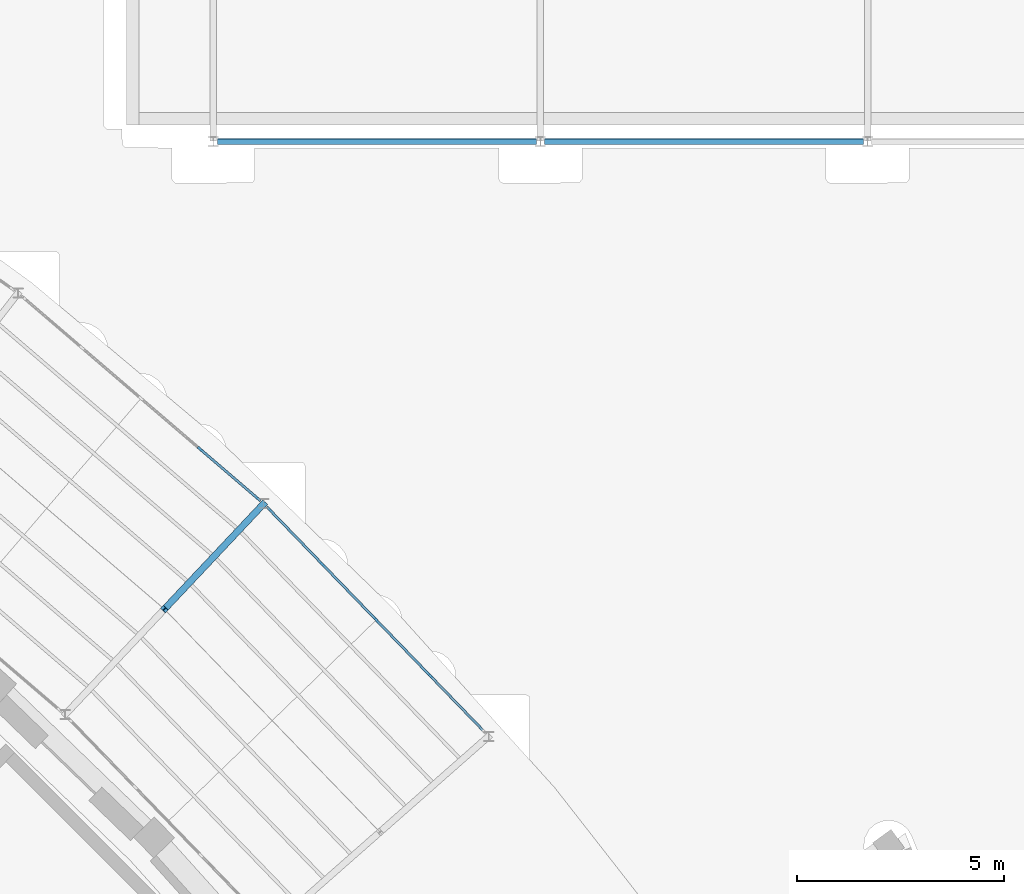
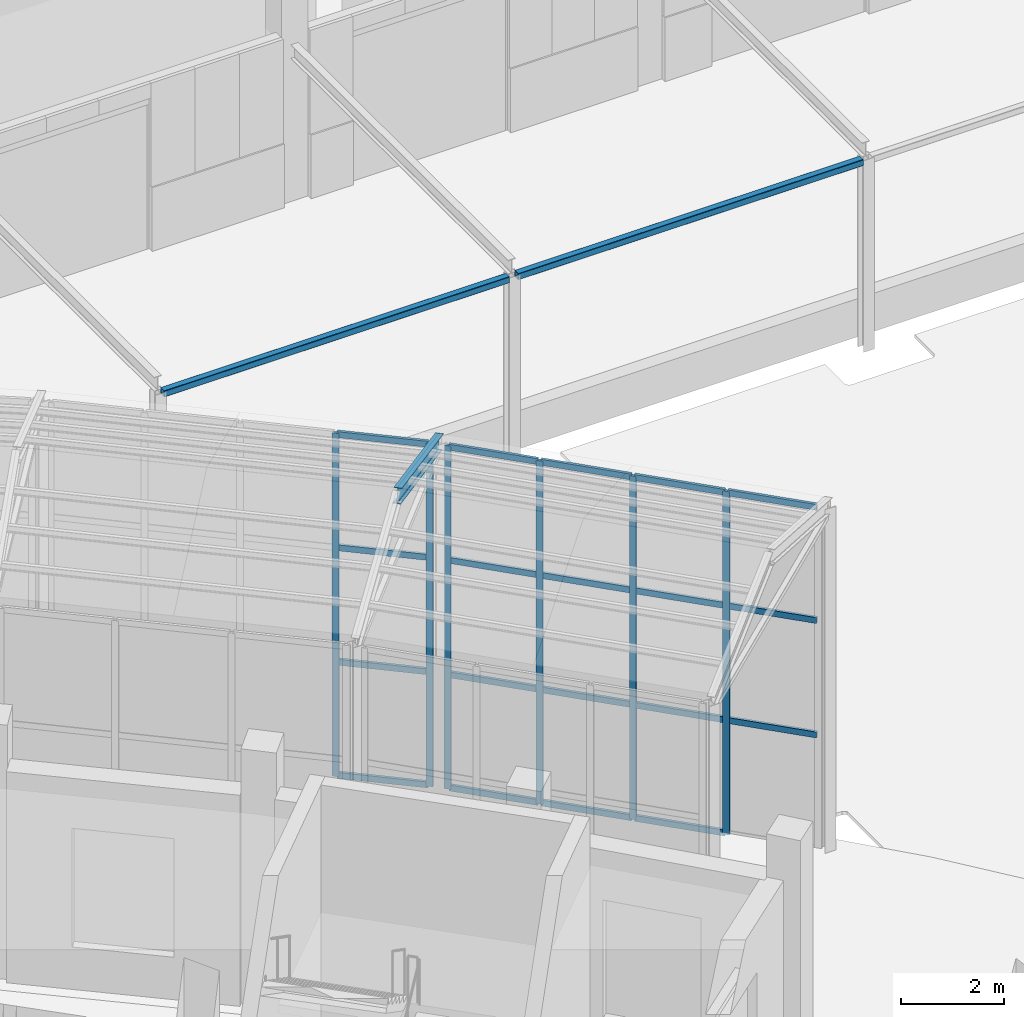
# One storey, part 57 of 155: 25 members, 3 beams, 2 elements without a shape of their own.
"""IFC4 building model written with IfcOpenShell, lengths in metres."""

from ifc_helpers import new_model, si_unit, direction, frame, origin, origin_2d, place, context, subcontext, project, spatial, rectangle, hollow_rectangle, i_section, extrude, material, layer, layer_set, material_profile, profile_set, type_object, element, aggregate, save


model = new_model("IFC4")

# Units and contexts
model_context = context("Model", 3, precision=1e-05, world=origin(), true_north=direction((0.0, 1.0)))
body_context = subcontext(model_context, "Body", "Model", "MODEL_VIEW")
ifc_project = project(units=[si_unit("LENGTHUNIT", "METRE"), si_unit("AREAUNIT", "SQUARE_METRE"), si_unit("VOLUMEUNIT", "CUBIC_METRE"), si_unit("PLANEANGLEUNIT", "RADIAN"), si_unit("MASSUNIT", "GRAM", prefix="KILO")], contexts=[model_context])

# Site, building, storey
site_placement = place(None, origin())
site = spatial("IfcSite", under=ifc_project, at=site_placement, CompositionType="ELEMENT")
building_placement = place(site_placement, origin())
building = spatial("IfcBuilding", under=site, at=building_placement, Name="Lunette Opera House", CompositionType="ELEMENT")
storey_placement = place(building_placement, origin())
storey = spatial("IfcBuildingStorey", under=building, at=storey_placement, Name="L00", CompositionType="ELEMENT", Elevation=0.0)

# Curtain wall, members
ifc_material_1 = material(Name="Aluminium", Category="aluminium")
ifc_layer = layer(ifc_material_1, 0.139892578125)
ifc_layer_set = layer_set([ifc_layer], Name="Aluminium")
curtain_wall_type = type_object("IfcCurtainWallType", Name="PASSAGE CURTAIN WALL", PredefinedType="NOTDEFINED", material=ifc_layer_set)
curtain_wall_1_placement = place(storey_placement, origin())
curtain_wall_1 = element("IfcCurtainWall", 1, at=curtain_wall_1_placement, inside=storey, type_object=curtain_wall_type, Name="Passage Curtain Wall EO5 L00", PredefinedType="NOTDEFINED")
ifc_material_2 = material(Name="Aluminium", Category="aluminium")
ifc_material_profile_1 = material_profile(ifc_material_2, rectangle(XDim=0.06005859375, YDim=0.139892578125, at=origin_2d()), Name="MULLION 60 X 140")
ifc_profile_set_1 = profile_set([ifc_material_profile_1], Name="Aluminium")
member_type_1 = type_object("IfcMemberType", Name="MULLION 60 X 140", PredefinedType="MULLION", material=ifc_profile_set_1)
member_1_placement = place(storey_placement, frame((151.779052734375, 62.176513671875, 0.0), z_axis=(0.0, 0.0, 1.0), x_axis=(0.650857137882, 0.759200227916, 0.0)))
member_1 = element("IfcMember", 2, at=member_1_placement, type_object=member_type_1, Name="PP-X2011 mullion 4", PredefinedType="MULLION", context=body_context, shape_type="SweptSolid", body=[
    extrude(rectangle(XDim=0.06005859375, YDim=0.139892578125, at=origin_2d()), origin(), (0.0, 0.0, 1.0), 8.10009765625),
])
member_2_placement = place(storey_placement, frame((153.18212890625, 60.9736328125, 0.0), z_axis=(0.0, 0.0, 1.0), x_axis=(0.650857137882, 0.759200227916, 0.0)))
member_2 = element("IfcMember", 3, at=member_2_placement, type_object=member_type_1, Name="PP-X2011 mullion 5", PredefinedType="MULLION", context=body_context, shape_type="SweptSolid", body=[
    extrude(rectangle(XDim=0.06005859375, YDim=0.139892578125, at=origin_2d()), origin(), (0.0, 0.0, 1.0), 8.10009765625),
])

curtain_wall_2_placement = place(storey_placement, origin())
curtain_wall_2 = element("IfcCurtainWall", 4, at=curtain_wall_2_placement, inside=storey, type_object=curtain_wall_type, Name="Passage Curtain Wall EO6 L00", PredefinedType="NOTDEFINED")
member_3_placement = place(storey_placement, frame((153.44384765625, 60.726318359375, 0.0), z_axis=(0.0, 0.0, 1.0), x_axis=(0.718786617652, 0.695230751825, 0.0)))
member_3 = element("IfcMember", 5, at=member_3_placement, type_object=member_type_1, Name="PP-X2012 mullion 1", PredefinedType="MULLION", context=body_context, shape_type="SweptSolid", body=[
    extrude(rectangle(XDim=0.06005859375, YDim=0.139892578125, at=origin_2d()), origin(), (0.0, 0.0, 1.0), 8.10009765625),
])
member_4_placement = place(storey_placement, frame((154.72900390625, 59.397705078125, 0.0), z_axis=(0.0, 0.0, 1.0), x_axis=(0.718786617652, 0.695230751825, 0.0)))
member_4 = element("IfcMember", 6, at=member_4_placement, type_object=member_type_1, Name="PP-X2012 mullion 2", PredefinedType="MULLION", context=body_context, shape_type="SweptSolid", body=[
    extrude(rectangle(XDim=0.06005859375, YDim=0.139892578125, at=origin_2d()), origin(), (0.0, 0.0, 1.0), 8.10009765625),
])
member_5_placement = place(storey_placement, frame((156.034912109375, 58.047607421875, 0.0), z_axis=(0.0, 0.0, 1.0), x_axis=(0.718786617652, 0.695230751825, 0.0)))
member_5 = element("IfcMember", 7, at=member_5_placement, type_object=member_type_1, Name="PP-X2012 mullion 3", PredefinedType="MULLION", context=body_context, shape_type="SweptSolid", body=[
    extrude(rectangle(XDim=0.06005859375, YDim=0.139892578125, at=origin_2d()), origin(), (0.0, 0.0, 1.0), 8.10009765625),
])
member_6_placement = place(storey_placement, frame((157.341064453125, 56.697265625, 0.0), z_axis=(0.0, 0.0, 1.0), x_axis=(0.718786617652, 0.695230751825, 0.0)))
member_6 = element("IfcMember", 8, at=member_6_placement, type_object=member_type_1, Name="PP-X2012 mullion 4", PredefinedType="MULLION", context=body_context, shape_type="SweptSolid", body=[
    extrude(rectangle(XDim=0.06005859375, YDim=0.139892578125, at=origin_2d()), origin(), (0.0, 0.0, 1.0), 8.10009765625),
])

# Beams
ifc_material_3 = material(Name="Steel S355", Category="steel")
ifc_material_profile_2 = material_profile(ifc_material_3, i_section(OverallWidth=0.159912109375, OverallDepth=0.330078125, WebThickness=0.007568359375, FlangeThickness=0.011474609375, FilletRadius=0.01806640625, at=origin_2d()), Name="IPE 330")
ifc_profile_set_2 = profile_set([ifc_material_profile_2], Name="Steel S355")
beam_type_1 = type_object("IfcBeamType", Name="STEEL BEAM IPE 330", PredefinedType="BEAM", material=ifc_profile_set_2)
beam_placement = place(storey_placement, frame((153.319091796875, 60.85595703125, 8.14990234375), z_axis=(-0.65414713721, -0.694403369335, 0.299825755291), x_axis=(0.727890723532, -0.685693149008, 0.0)))
element("IfcBeam", 9, at=beam_placement, inside=storey, type_object=beam_type_1, Name="beam-PP-L00-RF10B", PredefinedType="BEAM", context=body_context, shape_type="SweptSolid", body=[
    extrude(i_section(OverallWidth=0.159912109375, OverallDepth=0.330078125, WebThickness=0.007568359375, FlangeThickness=0.011474609375, FilletRadius=0.01806640625, at=origin_2d()), origin(), (0.0, 0.0, 1.0), 3.669189453125),
])
ifc_material_4 = material(Name="Steel S355", Category="steel")
ifc_material_profile_3 = material_profile(ifc_material_4, hollow_rectangle(XDim=0.14990234375, YDim=0.14990234375, WallThickness=0.008056640625, InnerFilletRadius=0.008056640625, OuterFilletRadius=0.01611328125, at=origin_2d()), Name="RHS 150X150X8")
ifc_profile_set_3 = profile_set([ifc_material_profile_3], Name="Steel S355")
beam_type_2 = type_object("IfcBeamType", Name="STEEL BEAM RHS 150X150X8", PredefinedType="BEAM", material=ifc_profile_set_3)
for number, where, z_axis, x_axis, name in (
    (10, (152.199951171875, 69.60009765625, 4.39501953125), (1.0, 0.0, 0.0), (0.0, 1.0, 0.0), "beam-WW-L00-DCE1"),
    (11, (160.10009765625, 69.60009765625, 4.39501953125), (1.0, 0.0, 0.0), (0.0, 1.0, 0.0), "beam-WW-L00-DCE2"),
):
    element("IfcBeam", number, at=place(storey_placement, frame(where, z_axis=z_axis, x_axis=x_axis)), inside=storey, type_object=beam_type_2, Name=name, PredefinedType="BEAM", context=body_context, shape_type="SweptSolid", body=[
        extrude(hollow_rectangle(XDim=0.14990234375, YDim=0.14990234375, WallThickness=0.008056640625, InnerFilletRadius=0.008056640625, OuterFilletRadius=0.01611328125, at=origin_2d()), origin(), (0.0, 0.0, 1.0), 7.699951171875),
    ])

# Member
ifc_material_5 = material(Name="Aluminium", Category="aluminium")
ifc_material_profile_4 = material_profile(ifc_material_5, rectangle(XDim=0.06005859375, YDim=0.139892578125, at=origin_2d()), Name="TRANSOM 60 X 140")
ifc_profile_set_4 = profile_set([ifc_material_profile_4], Name="Aluminium")
member_type_2 = type_object("IfcMemberType", Name="TRANSOM 60 X 140", PredefinedType="USERDEFINED", material=ifc_profile_set_4)
member_7_placement = place(storey_placement, frame((151.8017578125, 62.156982421875, 0.030029296875), z_axis=(0.759227689976, -0.65082510306, 0.0), x_axis=(0.65082510306, 0.759227689976, 0.0)))
member_7 = element("IfcMember", 12, at=member_7_placement, type_object=member_type_2, Name="PP-X2011 transom 4.1", ObjectType="TRANSOM", PredefinedType="USERDEFINED", context=body_context, shape_type="SweptSolid", body=[
    extrude(rectangle(XDim=0.06005859375, YDim=0.139892578125, at=origin_2d()), origin(), (0.0, 0.0, 1.0), 1.788330078125),
])

member_8_placement = place(storey_placement, frame((151.8017578125, 62.156982421875, 2.699951171875), z_axis=(0.759227689976, -0.65082510306, 0.0), x_axis=(0.65082510306, 0.759227689976, 0.0)))
member_8 = element("IfcMember", 13, at=member_8_placement, type_object=member_type_2, Name="PP-X2011 transom 4.2", ObjectType="TRANSOM", PredefinedType="USERDEFINED", context=body_context, shape_type="SweptSolid", body=[
    extrude(rectangle(XDim=0.06005859375, YDim=0.139892578125, at=origin_2d()), origin(), (0.0, 0.0, 1.0), 1.788330078125),
])

member_9_placement = place(storey_placement, frame((151.8017578125, 62.156982421875, 5.39990234375), z_axis=(0.759227689976, -0.65082510306, 0.0), x_axis=(0.65082510306, 0.759227689976, 0.0)))
member_9 = element("IfcMember", 14, at=member_9_placement, type_object=member_type_2, Name="PP-X2011 transom 4.3", ObjectType="TRANSOM", PredefinedType="USERDEFINED", context=body_context, shape_type="SweptSolid", body=[
    extrude(rectangle(XDim=0.06005859375, YDim=0.139892578125, at=origin_2d()), origin(), (0.0, 0.0, 1.0), 1.788330078125),
])

member_10_placement = place(storey_placement, frame((151.8017578125, 62.156982421875, 8.070068359375), z_axis=(0.759227689976, -0.65082510306, 0.0), x_axis=(0.65082510306, 0.759227689976, 0.0)))
member_10 = element("IfcMember", 15, at=member_10_placement, type_object=member_type_2, Name="PP-X2011 transom 4.4", ObjectType="TRANSOM", PredefinedType="USERDEFINED", context=body_context, shape_type="SweptSolid", body=[
    extrude(rectangle(XDim=0.06005859375, YDim=0.139892578125, at=origin_2d()), origin(), (0.0, 0.0, 1.0), 1.788330078125),
])

aggregate(curtain_wall_1, [member_1, member_2, member_7, member_8, member_9, member_10])

member_11_placement = place(storey_placement, frame((153.464599609375, 60.704833984375, 0.030029296875), z_axis=(0.695339566004, -0.718681353556, 0.0), x_axis=(0.718681353556, 0.695339566004, 0.0)))
member_11 = element("IfcMember", 16, at=member_11_placement, type_object=member_type_2, Name="PP-X2012 transom 1.1", ObjectType="TRANSOM", PredefinedType="USERDEFINED", context=body_context, shape_type="SweptSolid", body=[
    extrude(rectangle(XDim=0.06005859375, YDim=0.139892578125, at=origin_2d()), origin(), (0.0, 0.0, 1.0), 1.78857421875),
])

member_12_placement = place(storey_placement, frame((153.464599609375, 60.704833984375, 2.699951171875), z_axis=(0.695339566004, -0.718681353556, 0.0), x_axis=(0.718681353556, 0.695339566004, 0.0)))
member_12 = element("IfcMember", 17, at=member_12_placement, type_object=member_type_2, Name="PP-X2012 transom 1.2", ObjectType="TRANSOM", PredefinedType="USERDEFINED", context=body_context, shape_type="SweptSolid", body=[
    extrude(rectangle(XDim=0.06005859375, YDim=0.139892578125, at=origin_2d()), origin(), (0.0, 0.0, 1.0), 1.78857421875),
])

member_13_placement = place(storey_placement, frame((153.464599609375, 60.704833984375, 5.39990234375), z_axis=(0.695339566004, -0.718681353556, 0.0), x_axis=(0.718681353556, 0.695339566004, 0.0)))
member_13 = element("IfcMember", 18, at=member_13_placement, type_object=member_type_2, Name="PP-X2012 transom 1.3", ObjectType="TRANSOM", PredefinedType="USERDEFINED", context=body_context, shape_type="SweptSolid", body=[
    extrude(rectangle(XDim=0.06005859375, YDim=0.139892578125, at=origin_2d()), origin(), (0.0, 0.0, 1.0), 1.78857421875),
])

member_14_placement = place(storey_placement, frame((153.464599609375, 60.704833984375, 8.070068359375), z_axis=(0.695339566004, -0.718681353556, 0.0), x_axis=(0.718681353556, 0.695339566004, 0.0)))
member_14 = element("IfcMember", 19, at=member_14_placement, type_object=member_type_2, Name="PP-X2012 transom 1.4", ObjectType="TRANSOM", PredefinedType="USERDEFINED", context=body_context, shape_type="SweptSolid", body=[
    extrude(rectangle(XDim=0.06005859375, YDim=0.139892578125, at=origin_2d()), origin(), (0.0, 0.0, 1.0), 1.78857421875),
])

member_15_placement = place(storey_placement, frame((154.749755859375, 59.376220703125, 0.030029296875), z_axis=(0.695262637542, -0.718755775516, 0.0), x_axis=(0.718755775516, 0.695262637542, 0.0)))
member_15 = element("IfcMember", 20, at=member_15_placement, type_object=member_type_2, Name="PP-X2012 transom 2.1", ObjectType="TRANSOM", PredefinedType="USERDEFINED", context=body_context, shape_type="SweptSolid", body=[
    extrude(rectangle(XDim=0.06005859375, YDim=0.139892578125, at=origin_2d()), origin(), (0.0, 0.0, 1.0), 1.818603515625),
])

member_16_placement = place(storey_placement, frame((154.749755859375, 59.376220703125, 2.699951171875), z_axis=(0.695262637542, -0.718755775516, 0.0), x_axis=(0.718755775516, 0.695262637542, 0.0)))
member_16 = element("IfcMember", 21, at=member_16_placement, type_object=member_type_2, Name="PP-X2012 transom 2.2", ObjectType="TRANSOM", PredefinedType="USERDEFINED", context=body_context, shape_type="SweptSolid", body=[
    extrude(rectangle(XDim=0.06005859375, YDim=0.139892578125, at=origin_2d()), origin(), (0.0, 0.0, 1.0), 1.818603515625),
])

member_17_placement = place(storey_placement, frame((154.749755859375, 59.376220703125, 5.39990234375), z_axis=(0.695262637542, -0.718755775516, 0.0), x_axis=(0.718755775516, 0.695262637542, 0.0)))
member_17 = element("IfcMember", 22, at=member_17_placement, type_object=member_type_2, Name="PP-X2012 transom 2.3", ObjectType="TRANSOM", PredefinedType="USERDEFINED", context=body_context, shape_type="SweptSolid", body=[
    extrude(rectangle(XDim=0.06005859375, YDim=0.139892578125, at=origin_2d()), origin(), (0.0, 0.0, 1.0), 1.818603515625),
])

member_18_placement = place(storey_placement, frame((154.749755859375, 59.376220703125, 8.070068359375), z_axis=(0.695262637542, -0.718755775516, 0.0), x_axis=(0.718755775516, 0.695262637542, 0.0)))
member_18 = element("IfcMember", 23, at=member_18_placement, type_object=member_type_2, Name="PP-X2012 transom 2.4", ObjectType="TRANSOM", PredefinedType="USERDEFINED", context=body_context, shape_type="SweptSolid", body=[
    extrude(rectangle(XDim=0.06005859375, YDim=0.139892578125, at=origin_2d()), origin(), (0.0, 0.0, 1.0), 1.818603515625),
])

member_19_placement = place(storey_placement, frame((156.055908203125, 58.02587890625, 0.030029296875), z_axis=(0.695193274764, -0.718822864636, 0.0), x_axis=(0.718822864636, 0.695193274764, 0.0)))
member_19 = element("IfcMember", 24, at=member_19_placement, type_object=member_type_2, Name="PP-X2012 transom 3.1", ObjectType="TRANSOM", PredefinedType="USERDEFINED", context=body_context, shape_type="SweptSolid", body=[
    extrude(rectangle(XDim=0.06005859375, YDim=0.139892578125, at=origin_2d()), origin(), (0.0, 0.0, 1.0), 1.818359375),
])

member_20_placement = place(storey_placement, frame((156.055908203125, 58.02587890625, 2.699951171875), z_axis=(0.695193274764, -0.718822864636, 0.0), x_axis=(0.718822864636, 0.695193274764, 0.0)))
member_20 = element("IfcMember", 25, at=member_20_placement, type_object=member_type_2, Name="PP-X2012 transom 3.2", ObjectType="TRANSOM", PredefinedType="USERDEFINED", context=body_context, shape_type="SweptSolid", body=[
    extrude(rectangle(XDim=0.06005859375, YDim=0.139892578125, at=origin_2d()), origin(), (0.0, 0.0, 1.0), 1.818359375),
])

member_21_placement = place(storey_placement, frame((156.055908203125, 58.02587890625, 5.39990234375), z_axis=(0.695193274764, -0.718822864636, 0.0), x_axis=(0.718822864636, 0.695193274764, 0.0)))
member_21 = element("IfcMember", 26, at=member_21_placement, type_object=member_type_2, Name="PP-X2012 transom 3.3", ObjectType="TRANSOM", PredefinedType="USERDEFINED", context=body_context, shape_type="SweptSolid", body=[
    extrude(rectangle(XDim=0.06005859375, YDim=0.139892578125, at=origin_2d()), origin(), (0.0, 0.0, 1.0), 1.818359375),
])

member_22_placement = place(storey_placement, frame((156.055908203125, 58.02587890625, 8.070068359375), z_axis=(0.695193274764, -0.718822864636, 0.0), x_axis=(0.718822864636, 0.695193274764, 0.0)))
member_22 = element("IfcMember", 27, at=member_22_placement, type_object=member_type_2, Name="PP-X2012 transom 3.4", ObjectType="TRANSOM", PredefinedType="USERDEFINED", context=body_context, shape_type="SweptSolid", body=[
    extrude(rectangle(XDim=0.06005859375, YDim=0.139892578125, at=origin_2d()), origin(), (0.0, 0.0, 1.0), 1.818359375),
])

member_23_placement = place(storey_placement, frame((157.36181640625, 56.67578125, 2.699951171875), z_axis=(0.695200836329, -0.718815551562, 0.0), x_axis=(0.718815551562, 0.695200836329, 0.0)))
member_23 = element("IfcMember", 28, at=member_23_placement, type_object=member_type_2, Name="PP-X2012 transom 4.2", ObjectType="TRANSOM", PredefinedType="USERDEFINED", context=body_context, shape_type="SweptSolid", body=[
    extrude(rectangle(XDim=0.06005859375, YDim=0.139892578125, at=origin_2d()), origin(), (0.0, 0.0, 1.0), 1.78857421875),
])

member_24_placement = place(storey_placement, frame((157.36181640625, 56.67578125, 5.39990234375), z_axis=(0.695200836329, -0.718815551562, 0.0), x_axis=(0.718815551562, 0.695200836329, 0.0)))
member_24 = element("IfcMember", 29, at=member_24_placement, type_object=member_type_2, Name="PP-X2012 transom 4.3", ObjectType="TRANSOM", PredefinedType="USERDEFINED", context=body_context, shape_type="SweptSolid", body=[
    extrude(rectangle(XDim=0.06005859375, YDim=0.139892578125, at=origin_2d()), origin(), (0.0, 0.0, 1.0), 1.78857421875),
])

member_25_placement = place(storey_placement, frame((157.36181640625, 56.67578125, 8.070068359375), z_axis=(0.695200836329, -0.718815551562, 0.0), x_axis=(0.718815551562, 0.695200836329, 0.0)))
member_25 = element("IfcMember", 30, at=member_25_placement, type_object=member_type_2, Name="PP-X2012 transom 4.4", ObjectType="TRANSOM", PredefinedType="USERDEFINED", context=body_context, shape_type="SweptSolid", body=[
    extrude(rectangle(XDim=0.06005859375, YDim=0.139892578125, at=origin_2d()), origin(), (0.0, 0.0, 1.0), 1.78857421875),
])

aggregate(curtain_wall_2, [member_3, member_4, member_5, member_6, member_11, member_12, member_13, member_14, member_15, member_16, member_17, member_18, member_19, member_20, member_21, member_22, member_23, member_24, member_25])

save(model, "model.ifc")
